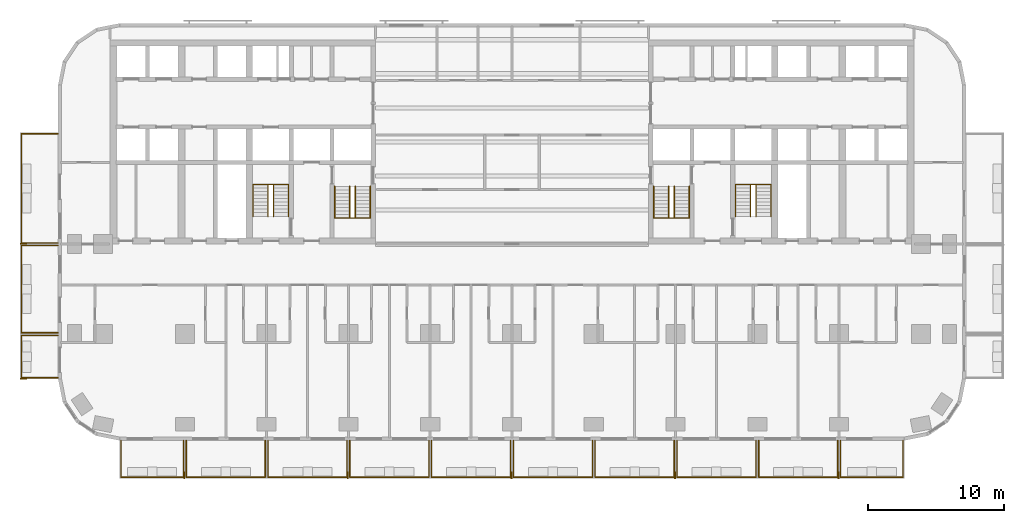
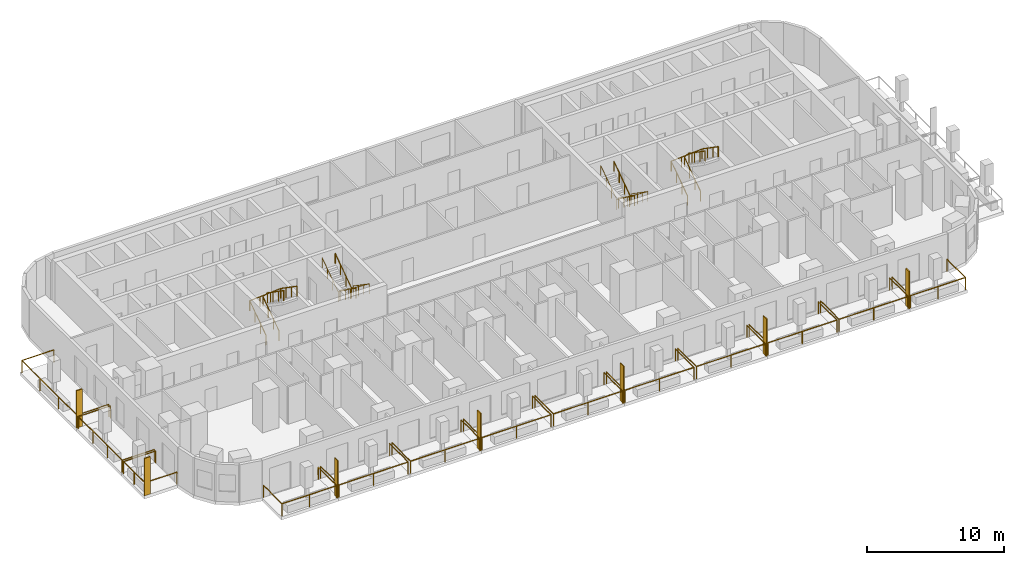
# One storey, part 12 of 14: 21 railings, 7 shading devices.
"""IFC4 building model written with IfcOpenShell, lengths in metres."""

from ifc_helpers import new_model, si_unit, direction, frame, origin, origin_2d, place, context, subcontext, project, spatial, rectangle, circle, extrude, material, layer, layer_set, type_object, element, save


model = new_model("IFC4")

# Units and contexts
model_context = context("Model", 3, precision=1e-05, world=origin(), true_north=direction((0.0, 1.0)))
body_context = subcontext(model_context, "Body", "Model", "MODEL_VIEW")
ifc_project = project(units=[si_unit("LENGTHUNIT", "METRE"), si_unit("AREAUNIT", "SQUARE_METRE"), si_unit("VOLUMEUNIT", "CUBIC_METRE"), si_unit("PLANEANGLEUNIT", "RADIAN"), si_unit("MASSUNIT", "GRAM", prefix="KILO")], contexts=[model_context])

# Site, building, storey
site_placement = place(None, origin())
site = spatial("IfcSite", under=ifc_project, at=site_placement, CompositionType="ELEMENT")
building_placement = place(site_placement, origin())
building = spatial("IfcBuilding", under=site, at=building_placement, Name="Torana Hotel and Residences", CompositionType="ELEMENT")
storey_placement = place(building_placement, frame((0.0, 0.0, 38.39990234375)))
storey = spatial("IfcBuildingStorey", under=building, at=storey_placement, Name="L08", CompositionType="ELEMENT", Elevation=38.39990234375)

# Shading devices
ifc_material_1 = material(Name="Black powder coated aluminium", Category="aluminium")
ifc_layer = layer(ifc_material_1, 0.080078125)
ifc_layer_set = layer_set([ifc_layer], Name="FN1 VERTICAL FIN 500x80")
shading_device_type = type_object("IfcShadingDeviceType", Name="FN1 VERTICAL FIN 500x80", PredefinedType="USERDEFINED", material=ifc_layer_set)
for number, where, z_axis, x_axis, name in (
    (1, (-24.0400390625, -31.949951171875, 0.0), (0.0, 0.0, 1.0), (-1.0, 0.0, 0.0), "Fin 01"),
    (2, (-12.0400390625, -31.949951171875, 0.0), (0.0, 0.0, 1.0), (-1.0, 0.0, 0.0), "Fin 03"),
    (3, (-0.0400390625, -31.949951171875, 0.0), (0.0, 0.0, 1.0), (-1.0, 0.0, 0.0), "Fin 05"),
    (4, (11.9599609375, -31.949951171875, 0.0), (0.0, 0.0, 1.0), (-1.0, 0.0, 0.0), "Fin 07"),
    (5, (23.9599609375, -31.949951171875, 0.0), (0.0, 0.0, 1.0), (-1.0, 0.0, 0.0), "Fin 09"),
    (6, (-35.85009765625, -24.860107421875, 0.0), (0.0, 0.0, 1.0), (0.0, 1.0, 0.0), "Fin 11"),
    (7, (-35.85009765625, -14.9599609375, 0.0), (0.0, 0.0, 1.0), (0.0, 1.0, 0.0), "Fin 13"),
):
    element("IfcShadingDevice", number, at=place(storey_placement, frame(where, z_axis=z_axis, x_axis=x_axis)), inside=storey, type_object=shading_device_type, Name=name, ObjectType="FIN", PredefinedType="USERDEFINED", context=body_context, shape_type="SweptSolid", body=[
        extrude(rectangle(XDim=0.080078125, YDim=0.5, at=origin_2d()), origin(), (0.0, 0.0, 1.0), 3.320068359375),
    ])

# Railings
ifc_material_2 = material(Name="Laminated glass balustrade with black handrail", Category="glass")
railing_type_1 = type_object("IfcRailingType", Name="GR1 BALCONY GUARD 1100 GLASS", PredefinedType="GUARDRAIL", material=ifc_material_2)
railing_1_placement = place(storey_placement, frame((-24.10009765625, -29.39990234375, 0.0)))
element("IfcRailing", 8, at=railing_1_placement, inside=storey, type_object=railing_type_1, Name="Balcony guard 01", PredefinedType="GUARDRAIL", context=body_context, shape_type="SweptSolid", body=[
    extrude(circle(Radius=0.02392578125, at=origin_2d()), frame((0.0, 0.0, 1.076171875), z_axis=(0.0, -1.0, 0.0), x_axis=(1.0, 0.0, 0.0)), (0.0, 0.0, 1.0), 2.7001953125),
    extrude(circle(Radius=0.02392578125, at=origin_2d()), frame((0.0, -2.7001953125, 1.076171875), z_axis=(-1.0, 0.0, 0.0), x_axis=(0.0, -1.0, 0.0)), (0.0, 0.0, 1.0), 4.599853515625),
    extrude(circle(Radius=0.02392578125, at=origin_2d()), frame((-4.599853515625, -2.7001953125, 1.076171875), z_axis=(0.0, 1.0, 0.0), x_axis=(-1.0, 0.0, 0.0)), (0.0, 0.0, 1.0), 2.7001953125),
    extrude(circle(Radius=0.02099609375, at=origin_2d()), origin(), (0.0, 0.0, 1.0), 1.052001953125),
    extrude(circle(Radius=0.02099609375, at=origin_2d()), frame((0.0, -2.7001953125, 0.0)), (0.0, 0.0, 1.0), 1.052001953125),
    extrude(circle(Radius=0.02099609375, at=origin_2d()), frame((-2.2998046875, -2.7001953125, 0.0)), (0.0, 0.0, 1.0), 1.052001953125),
    extrude(circle(Radius=0.02099609375, at=origin_2d()), frame((-4.599853515625, -2.7001953125, 0.0)), (0.0, 0.0, 1.0), 1.052001953125),
    extrude(circle(Radius=0.02099609375, at=origin_2d()), frame((-4.599853515625, 0.0, 0.0)), (0.0, 0.0, 1.0), 1.052001953125),
])
for number, where, name in (
    (9, (-18.10009765625, -29.39990234375, 0.0), "Balcony guard 02"),
    (10, (-12.10009765625, -29.39990234375, 0.0), "Balcony guard 03"),
    (11, (-6.10009765625, -29.39990234375, 0.0), "Balcony guard 04"),
    (12, (-0.10009765625, -29.39990234375, 0.0), "Balcony guard 05"),
    (13, (5.89990234375, -29.39990234375, 0.0), "Balcony guard 06"),
    (14, (11.89990234375, -29.39990234375, 0.0), "Balcony guard 07"),
    (15, (17.89990234375, -29.39990234375, 0.0), "Balcony guard 08"),
    (16, (23.89990234375, -29.39990234375, 0.0), "Balcony guard 09"),
):
    element("IfcRailing", number, at=place(storey_placement, frame(where)), inside=storey, type_object=railing_type_1, Name=name, PredefinedType="GUARDRAIL", context=body_context, shape_type="SweptSolid", body=[
        extrude(circle(Radius=0.02392578125, at=origin_2d()), frame((0.0, 0.0, 1.076171875), z_axis=(0.0, -1.0, 0.0), x_axis=(1.0, 0.0, 0.0)), (0.0, 0.0, 1.0), 2.7001953125),
        extrude(circle(Radius=0.02392578125, at=origin_2d()), frame((0.0, -2.7001953125, 1.076171875), z_axis=(-1.0, 0.0, 0.0), x_axis=(0.0, -1.0, 0.0)), (0.0, 0.0, 1.0), 5.7998046875),
        extrude(circle(Radius=0.02392578125, at=origin_2d()), frame((-5.7998046875, -2.7001953125, 1.076171875), z_axis=(0.0, 1.0, 0.0), x_axis=(-1.0, 0.0, 0.0)), (0.0, 0.0, 1.0), 2.7001953125),
        extrude(circle(Radius=0.02099609375, at=origin_2d()), origin(), (0.0, 0.0, 1.0), 1.052001953125),
        extrude(circle(Radius=0.02099609375, at=origin_2d()), frame((0.0, -2.7001953125, 0.0)), (0.0, 0.0, 1.0), 1.052001953125),
        extrude(circle(Radius=0.02099609375, at=origin_2d()), frame((-2.89990234375, -2.7001953125, 0.0)), (0.0, 0.0, 1.0), 1.052001953125),
        extrude(circle(Radius=0.02099609375, at=origin_2d()), frame((-5.7998046875, -2.7001953125, 0.0)), (0.0, 0.0, 1.0), 1.052001953125),
        extrude(circle(Radius=0.02099609375, at=origin_2d()), frame((-5.7998046875, 0.0, 0.0)), (0.0, 0.0, 1.0), 1.052001953125),
    ])
railing_2_placement = place(storey_placement, frame((28.699951171875, -29.39990234375, 0.0)))
element("IfcRailing", 17, at=railing_2_placement, inside=storey, type_object=railing_type_1, Name="Balcony guard 10", PredefinedType="GUARDRAIL", context=body_context, shape_type="SweptSolid", body=[
    extrude(circle(Radius=0.02392578125, at=origin_2d()), frame((0.0, 0.0, 1.076171875), z_axis=(0.0, -1.0, 0.0), x_axis=(1.0, 0.0, 0.0)), (0.0, 0.0, 1.0), 2.7001953125),
    extrude(circle(Radius=0.02392578125, at=origin_2d()), frame((0.0, -2.7001953125, 1.076171875), z_axis=(-1.0, 0.0, 0.0), x_axis=(0.0, -1.0, 0.0)), (0.0, 0.0, 1.0), 4.599853515625),
    extrude(circle(Radius=0.02392578125, at=origin_2d()), frame((-4.599853515625, -2.7001953125, 1.076171875), z_axis=(0.0, 1.0, 0.0), x_axis=(-1.0, 0.0, 0.0)), (0.0, 0.0, 1.0), 2.7001953125),
    extrude(circle(Radius=0.02099609375, at=origin_2d()), origin(), (0.0, 0.0, 1.0), 1.052001953125),
    extrude(circle(Radius=0.02099609375, at=origin_2d()), frame((0.0, -2.7001953125, 0.0)), (0.0, 0.0, 1.0), 1.052001953125),
    extrude(circle(Radius=0.02099609375, at=origin_2d()), frame((-2.2998046875, -2.7001953125, 0.0)), (0.0, 0.0, 1.0), 1.052001953125),
    extrude(circle(Radius=0.02099609375, at=origin_2d()), frame((-4.599853515625, -2.7001953125, 0.0)), (0.0, 0.0, 1.0), 1.052001953125),
    extrude(circle(Radius=0.02099609375, at=origin_2d()), frame((-4.599853515625, 0.0, 0.0)), (0.0, 0.0, 1.0), 1.052001953125),
])
railing_3_placement = place(storey_placement, frame((-33.300048828125, -24.800048828125, 0.0)))
element("IfcRailing", 18, at=railing_3_placement, inside=storey, type_object=railing_type_1, Name="Balcony guard 11", PredefinedType="GUARDRAIL", context=body_context, shape_type="SweptSolid", body=[
    extrude(circle(Radius=0.02392578125, at=origin_2d()), frame((0.0, 0.0, 1.076171875), z_axis=(-1.0, 0.0, 0.0), x_axis=(0.0, -1.0, 0.0)), (0.0, 0.0, 1.0), 2.699951171875),
    extrude(circle(Radius=0.02392578125, at=origin_2d()), frame((-2.699951171875, 0.0, 1.076171875), z_axis=(0.0, 1.0, 0.0), x_axis=(-1.0, 0.0, 0.0)), (0.0, 0.0, 1.0), 3.10009765625),
    extrude(circle(Radius=0.02392578125, at=origin_2d()), frame((-2.699951171875, 3.10009765625, 1.076171875), z_axis=(1.0, 0.0, 0.0), x_axis=(0.0, 1.0, 0.0)), (0.0, 0.0, 1.0), 2.699951171875),
    extrude(circle(Radius=0.02099609375, at=origin_2d()), origin(), (0.0, 0.0, 1.0), 1.052001953125),
    extrude(circle(Radius=0.02099609375, at=origin_2d()), frame((-2.699951171875, 0.0, 0.0)), (0.0, 0.0, 1.0), 1.052001953125),
    extrude(circle(Radius=0.02099609375, at=origin_2d()), frame((-2.699951171875, 1.550048828125, 0.0)), (0.0, 0.0, 1.0), 1.052001953125),
    extrude(circle(Radius=0.02099609375, at=origin_2d()), frame((-2.699951171875, 3.10009765625, 0.0)), (0.0, 0.0, 1.0), 1.052001953125),
    extrude(circle(Radius=0.02099609375, at=origin_2d()), frame((0.0, 3.10009765625, 0.0)), (0.0, 0.0, 1.0), 1.052001953125),
])
railing_4_placement = place(storey_placement, frame((-33.300048828125, -21.5, 0.0)))
element("IfcRailing", 19, at=railing_4_placement, inside=storey, type_object=railing_type_1, Name="Balcony guard 12", PredefinedType="GUARDRAIL", context=body_context, shape_type="SweptSolid", body=[
    extrude(circle(Radius=0.02392578125, at=origin_2d()), frame((0.0, 0.0, 1.076171875), z_axis=(-1.0, 0.0, 0.0), x_axis=(0.0, -1.0, 0.0)), (0.0, 0.0, 1.0), 2.699951171875),
    extrude(circle(Radius=0.02392578125, at=origin_2d()), frame((-2.699951171875, 0.0, 1.076171875), z_axis=(0.0, 1.0, 0.0), x_axis=(-1.0, 0.0, 0.0)), (0.0, 0.0, 1.0), 6.39990234375),
    extrude(circle(Radius=0.02392578125, at=origin_2d()), frame((-2.699951171875, 6.39990234375, 1.076171875), z_axis=(1.0, 0.0, 0.0), x_axis=(0.0, 1.0, 0.0)), (0.0, 0.0, 1.0), 2.699951171875),
    extrude(circle(Radius=0.02099609375, at=origin_2d()), origin(), (0.0, 0.0, 1.0), 1.052001953125),
    extrude(circle(Radius=0.02099609375, at=origin_2d()), frame((-2.699951171875, 0.0, 0.0)), (0.0, 0.0, 1.0), 1.052001953125),
    extrude(circle(Radius=0.02099609375, at=origin_2d()), frame((-2.699951171875, 2.13330078125, 0.0)), (0.0, 0.0, 1.0), 1.052001953125),
    extrude(circle(Radius=0.02099609375, at=origin_2d()), frame((-2.699951171875, 4.2666015625, 0.0)), (0.0, 0.0, 1.0), 1.052001953125),
    extrude(circle(Radius=0.02099609375, at=origin_2d()), frame((-2.699951171875, 6.39990234375, 0.0)), (0.0, 0.0, 1.0), 1.052001953125),
    extrude(circle(Radius=0.02099609375, at=origin_2d()), frame((0.0, 6.39990234375, 0.0)), (0.0, 0.0, 1.0), 1.052001953125),
])
railing_5_placement = place(storey_placement, frame((-33.300048828125, -14.89990234375, 0.0)))
element("IfcRailing", 20, at=railing_5_placement, inside=storey, type_object=railing_type_1, Name="Balcony guard 13", PredefinedType="GUARDRAIL", context=body_context, shape_type="SweptSolid", body=[
    extrude(circle(Radius=0.02392578125, at=origin_2d()), frame((0.0, 0.0, 1.076171875), z_axis=(-1.0, 0.0, 0.0), x_axis=(0.0, -1.0, 0.0)), (0.0, 0.0, 1.0), 2.699951171875),
    extrude(circle(Radius=0.02392578125, at=origin_2d()), frame((-2.699951171875, 0.0, 1.076171875), z_axis=(0.0, 1.0, 0.0), x_axis=(-1.0, 0.0, 0.0)), (0.0, 0.0, 1.0), 8.0),
    extrude(circle(Radius=0.02392578125, at=origin_2d()), frame((-2.699951171875, 8.0, 1.076171875), z_axis=(1.0, 0.0, 0.0), x_axis=(0.0, 1.0, 0.0)), (0.0, 0.0, 1.0), 2.699951171875),
    extrude(circle(Radius=0.02099609375, at=origin_2d()), origin(), (0.0, 0.0, 1.0), 1.052001953125),
    extrude(circle(Radius=0.02099609375, at=origin_2d()), frame((-2.699951171875, 0.0, 0.0)), (0.0, 0.0, 1.0), 1.052001953125),
    extrude(circle(Radius=0.02099609375, at=origin_2d()), frame((-2.699951171875, 2.666748046875, 0.0)), (0.0, 0.0, 1.0), 1.052001953125),
    extrude(circle(Radius=0.02099609375, at=origin_2d()), frame((-2.699951171875, 5.333251953125, 0.0)), (0.0, 0.0, 1.0), 1.052001953125),
    extrude(circle(Radius=0.02099609375, at=origin_2d()), frame((-2.699951171875, 8.0, 0.0)), (0.0, 0.0, 1.0), 1.052001953125),
    extrude(circle(Radius=0.02099609375, at=origin_2d()), frame((0.0, 8.0, 0.0)), (0.0, 0.0, 1.0), 1.052001953125),
])
ifc_material_3 = material(Name="Stainless steel 316", Category="steel")
railing_type_2 = type_object("IfcRailingType", Name="STAIR HANDRAIL HR1 900", PredefinedType="HANDRAIL", material=ifc_material_3)
railing_6_placement = place(storey_placement, frame((-10.39990234375, -10.75, 0.18017578125)))
element("IfcRailing", 21, at=railing_6_placement, inside=storey, type_object=railing_type_2, Name="Handrail ST1 L08 O1", PredefinedType="HANDRAIL", context=body_context, shape_type="SweptSolid", body=[
    extrude(circle(Radius=0.02392578125, at=origin_2d()), frame((0.0, 0.0, 0.8759765625), z_axis=(0.0, -0.822223072051, 0.569165371211), x_axis=(1.0, 0.0, 0.0)), (0.0, 0.0, 1.0), 2.845947265625),
    extrude(circle(Radius=0.02392578125, at=origin_2d()), frame((0.0, -2.340087890625, 2.49560546875), z_axis=(-0.997614115953, 0.0, 0.069036770278), x_axis=(0.0, -1.0, 0.0)), (0.0, 0.0, 1.0), 2.606201171875),
    extrude(circle(Radius=0.02392578125, at=origin_2d()), frame((-2.60009765625, -2.340087890625, 2.67578125), z_axis=(0.0, 0.822182927502, 0.569223360136), x_axis=(-1.0, 0.0, 0.0)), (0.0, 0.0, 1.0), 2.84619140625),
    extrude(circle(Radius=0.02099609375, at=origin_2d()), origin(), (0.0, 0.0, 1.0), 0.851806640625),
    extrude(circle(Radius=0.02099609375, at=origin_2d()), frame((0.0, -0.780029296875, 0.5400390625)), (0.0, 0.0, 1.0), 0.851806640625),
    extrude(circle(Radius=0.02099609375, at=origin_2d()), frame((0.0, -1.56005859375, 1.079833984375)), (0.0, 0.0, 1.0), 0.851806640625),
    extrude(circle(Radius=0.02099609375, at=origin_2d()), frame((0.0, -2.340087890625, 1.619873046875)), (0.0, 0.0, 1.0), 0.851806640625),
    extrude(circle(Radius=0.02099609375, at=origin_2d()), frame((-0.86669921875, -2.340087890625, 1.679931640625)), (0.0, 0.0, 1.0), 0.851806640625),
    extrude(circle(Radius=0.02099609375, at=origin_2d()), frame((-1.7333984375, -2.340087890625, 1.73974609375)), (0.0, 0.0, 1.0), 0.851806640625),
    extrude(circle(Radius=0.02099609375, at=origin_2d()), frame((-2.60009765625, -2.340087890625, 1.7998046875)), (0.0, 0.0, 1.0), 0.851806640625),
    extrude(circle(Radius=0.02099609375, at=origin_2d()), frame((-2.60009765625, -1.56005859375, 2.33984375)), (0.0, 0.0, 1.0), 0.851806640625),
    extrude(circle(Radius=0.02099609375, at=origin_2d()), frame((-2.60009765625, -0.780029296875, 2.8798828125)), (0.0, 0.0, 1.0), 0.851806640625),
    extrude(circle(Radius=0.02099609375, at=origin_2d()), frame((-2.60009765625, 0.0, 3.419921875)), (0.0, 0.0, 1.0), 0.851806640625),
])
railing_7_placement = place(storey_placement, frame((-11.5, -10.75, 0.18017578125)))
element("IfcRailing", 22, at=railing_7_placement, inside=storey, type_object=railing_type_2, Name="Handrail ST1 L08 I1", PredefinedType="HANDRAIL", context=body_context, shape_type="SweptSolid", body=[
    extrude(circle(Radius=0.02392578125, at=origin_2d()), frame((0.0, 0.0, 0.8759765625), z_axis=(0.0, -0.822223072051, 0.569165371211), x_axis=(1.0, 0.0, 0.0)), (0.0, 0.0, 1.0), 2.845947265625),
    extrude(circle(Radius=0.02392578125, at=origin_2d()), frame((0.0, -2.340087890625, 2.49560546875), z_axis=(-0.911942338396, 0.0, 0.410318378143), x_axis=(0.0, -1.0, 0.0)), (0.0, 0.0, 1.0), 0.4384765625),
    extrude(circle(Radius=0.02392578125, at=origin_2d()), frame((-0.39990234375, -2.340087890625, 2.67578125), z_axis=(0.0, 0.822182927502, 0.569223360136), x_axis=(-1.0, 0.0, 0.0)), (0.0, 0.0, 1.0), 2.84619140625),
    extrude(circle(Radius=0.02099609375, at=origin_2d()), origin(), (0.0, 0.0, 1.0), 0.851806640625),
    extrude(circle(Radius=0.02099609375, at=origin_2d()), frame((0.0, -0.780029296875, 0.5400390625)), (0.0, 0.0, 1.0), 0.851806640625),
    extrude(circle(Radius=0.02099609375, at=origin_2d()), frame((0.0, -1.56005859375, 1.079833984375)), (0.0, 0.0, 1.0), 0.851806640625),
    extrude(circle(Radius=0.02099609375, at=origin_2d()), frame((0.0, -2.340087890625, 1.619873046875)), (0.0, 0.0, 1.0), 0.851806640625),
    extrude(circle(Radius=0.02099609375, at=origin_2d()), frame((-0.39990234375, -2.340087890625, 1.7998046875)), (0.0, 0.0, 1.0), 0.851806640625),
    extrude(circle(Radius=0.02099609375, at=origin_2d()), frame((-0.39990234375, -1.56005859375, 2.33984375)), (0.0, 0.0, 1.0), 0.851806640625),
    extrude(circle(Radius=0.02099609375, at=origin_2d()), frame((-0.39990234375, -0.780029296875, 2.8798828125)), (0.0, 0.0, 1.0), 0.851806640625),
    extrude(circle(Radius=0.02099609375, at=origin_2d()), frame((-0.39990234375, 0.0, 3.419921875)), (0.0, 0.0, 1.0), 0.851806640625),
])
railing_8_placement = place(storey_placement, frame((-19.0, -12.949951171875, 0.18017578125)))
element("IfcRailing", 23, at=railing_8_placement, inside=storey, type_object=railing_type_2, Name="Handrail ST2 L08 O1", PredefinedType="HANDRAIL", context=body_context, shape_type="SweptSolid", body=[
    extrude(circle(Radius=0.02392578125, at=origin_2d()), frame((0.0, 0.0, 0.8759765625), z_axis=(0.0, 0.822195280011, 0.569205517829), x_axis=(-1.0, 0.0, 0.0)), (0.0, 0.0, 1.0), 2.845947265625),
    extrude(circle(Radius=0.02392578125, at=origin_2d()), frame((0.0, 2.33984375, 2.49560546875), z_axis=(0.997614115953, 0.0, 0.069036770278), x_axis=(0.0, 1.0, 0.0)), (0.0, 0.0, 1.0), 2.606201171875),
    extrude(circle(Radius=0.02392578125, at=origin_2d()), frame((2.60009765625, 2.33984375, 2.67578125), z_axis=(0.0, -0.822155131156, 0.569263506923), x_axis=(1.0, 0.0, 0.0)), (0.0, 0.0, 1.0), 2.845947265625),
    extrude(circle(Radius=0.02099609375, at=origin_2d()), origin(), (0.0, 0.0, 1.0), 0.851806640625),
    extrude(circle(Radius=0.02099609375, at=origin_2d()), frame((0.0, 0.780029296875, 0.5400390625)), (0.0, 0.0, 1.0), 0.851806640625),
    extrude(circle(Radius=0.02099609375, at=origin_2d()), frame((0.0, 1.559814453125, 1.079833984375)), (0.0, 0.0, 1.0), 0.851806640625),
    extrude(circle(Radius=0.02099609375, at=origin_2d()), frame((0.0, 2.33984375, 1.619873046875)), (0.0, 0.0, 1.0), 0.851806640625),
    extrude(circle(Radius=0.02099609375, at=origin_2d()), frame((0.86669921875, 2.33984375, 1.679931640625)), (0.0, 0.0, 1.0), 0.851806640625),
    extrude(circle(Radius=0.02099609375, at=origin_2d()), frame((1.7333984375, 2.33984375, 1.73974609375)), (0.0, 0.0, 1.0), 0.851806640625),
    extrude(circle(Radius=0.02099609375, at=origin_2d()), frame((2.60009765625, 2.33984375, 1.7998046875)), (0.0, 0.0, 1.0), 0.851806640625),
    extrude(circle(Radius=0.02099609375, at=origin_2d()), frame((2.60009765625, 1.559814453125, 2.33984375)), (0.0, 0.0, 1.0), 0.851806640625),
    extrude(circle(Radius=0.02099609375, at=origin_2d()), frame((2.60009765625, 0.780029296875, 2.8798828125)), (0.0, 0.0, 1.0), 0.851806640625),
    extrude(circle(Radius=0.02099609375, at=origin_2d()), frame((2.60009765625, 0.0, 3.419921875)), (0.0, 0.0, 1.0), 0.851806640625),
])
railing_9_placement = place(storey_placement, frame((-17.89990234375, -12.949951171875, 0.18017578125)))
element("IfcRailing", 24, at=railing_9_placement, inside=storey, type_object=railing_type_2, Name="Handrail ST2 L08 I1", PredefinedType="HANDRAIL", context=body_context, shape_type="SweptSolid", body=[
    extrude(circle(Radius=0.02392578125, at=origin_2d()), frame((0.0, 0.0, 0.8759765625), z_axis=(0.0, 0.822195280011, 0.569205517829), x_axis=(-1.0, 0.0, 0.0)), (0.0, 0.0, 1.0), 2.845947265625),
    extrude(circle(Radius=0.02392578125, at=origin_2d()), frame((0.0, 2.33984375, 2.49560546875), z_axis=(0.911942338396, 0.0, 0.410318378143), x_axis=(0.0, 1.0, 0.0)), (0.0, 0.0, 1.0), 0.4384765625),
    extrude(circle(Radius=0.02392578125, at=origin_2d()), frame((0.39990234375, 2.33984375, 2.67578125), z_axis=(0.0, -0.822155131156, 0.569263506923), x_axis=(1.0, 0.0, 0.0)), (0.0, 0.0, 1.0), 2.845947265625),
    extrude(circle(Radius=0.02099609375, at=origin_2d()), origin(), (0.0, 0.0, 1.0), 0.851806640625),
    extrude(circle(Radius=0.02099609375, at=origin_2d()), frame((0.0, 0.780029296875, 0.5400390625)), (0.0, 0.0, 1.0), 0.851806640625),
    extrude(circle(Radius=0.02099609375, at=origin_2d()), frame((0.0, 1.559814453125, 1.079833984375)), (0.0, 0.0, 1.0), 0.851806640625),
    extrude(circle(Radius=0.02099609375, at=origin_2d()), frame((0.0, 2.33984375, 1.619873046875)), (0.0, 0.0, 1.0), 0.851806640625),
    extrude(circle(Radius=0.02099609375, at=origin_2d()), frame((0.39990234375, 2.33984375, 1.7998046875)), (0.0, 0.0, 1.0), 0.851806640625),
    extrude(circle(Radius=0.02099609375, at=origin_2d()), frame((0.39990234375, 1.559814453125, 2.33984375)), (0.0, 0.0, 1.0), 0.851806640625),
    extrude(circle(Radius=0.02099609375, at=origin_2d()), frame((0.39990234375, 0.780029296875, 2.8798828125)), (0.0, 0.0, 1.0), 0.851806640625),
    extrude(circle(Radius=0.02099609375, at=origin_2d()), frame((0.39990234375, 0.0, 3.419921875)), (0.0, 0.0, 1.0), 0.851806640625),
])
railing_10_placement = place(storey_placement, frame((13.0, -10.75, 0.18017578125)))
element("IfcRailing", 25, at=railing_10_placement, inside=storey, type_object=railing_type_2, Name="Handrail ST3 L08 O1", PredefinedType="HANDRAIL", context=body_context, shape_type="SweptSolid", body=[
    extrude(circle(Radius=0.02392578125, at=origin_2d()), frame((0.0, 0.0, 0.8759765625), z_axis=(0.0, -0.822223072051, 0.569165371211), x_axis=(1.0, 0.0, 0.0)), (0.0, 0.0, 1.0), 2.845947265625),
    extrude(circle(Radius=0.02392578125, at=origin_2d()), frame((0.0, -2.340087890625, 2.49560546875), z_axis=(-0.997614115953, 0.0, 0.069036770278), x_axis=(0.0, -1.0, 0.0)), (0.0, 0.0, 1.0), 2.606201171875),
    extrude(circle(Radius=0.02392578125, at=origin_2d()), frame((-2.60009765625, -2.340087890625, 2.67578125), z_axis=(0.0, 0.822182927502, 0.569223360136), x_axis=(-1.0, 0.0, 0.0)), (0.0, 0.0, 1.0), 2.84619140625),
    extrude(circle(Radius=0.02099609375, at=origin_2d()), origin(), (0.0, 0.0, 1.0), 0.851806640625),
    extrude(circle(Radius=0.02099609375, at=origin_2d()), frame((0.0, -0.780029296875, 0.5400390625)), (0.0, 0.0, 1.0), 0.851806640625),
    extrude(circle(Radius=0.02099609375, at=origin_2d()), frame((0.0, -1.56005859375, 1.079833984375)), (0.0, 0.0, 1.0), 0.851806640625),
    extrude(circle(Radius=0.02099609375, at=origin_2d()), frame((0.0, -2.340087890625, 1.619873046875)), (0.0, 0.0, 1.0), 0.851806640625),
    extrude(circle(Radius=0.02099609375, at=origin_2d()), frame((-0.86669921875, -2.340087890625, 1.679931640625)), (0.0, 0.0, 1.0), 0.851806640625),
    extrude(circle(Radius=0.02099609375, at=origin_2d()), frame((-1.7333984375, -2.340087890625, 1.73974609375)), (0.0, 0.0, 1.0), 0.851806640625),
    extrude(circle(Radius=0.02099609375, at=origin_2d()), frame((-2.60009765625, -2.340087890625, 1.7998046875)), (0.0, 0.0, 1.0), 0.851806640625),
    extrude(circle(Radius=0.02099609375, at=origin_2d()), frame((-2.60009765625, -1.56005859375, 2.33984375)), (0.0, 0.0, 1.0), 0.851806640625),
    extrude(circle(Radius=0.02099609375, at=origin_2d()), frame((-2.60009765625, -0.780029296875, 2.8798828125)), (0.0, 0.0, 1.0), 0.851806640625),
    extrude(circle(Radius=0.02099609375, at=origin_2d()), frame((-2.60009765625, 0.0, 3.419921875)), (0.0, 0.0, 1.0), 0.851806640625),
])
railing_11_placement = place(storey_placement, frame((11.89990234375, -10.75, 0.18017578125)))
element("IfcRailing", 26, at=railing_11_placement, inside=storey, type_object=railing_type_2, Name="Handrail ST3 L08 I1", PredefinedType="HANDRAIL", context=body_context, shape_type="SweptSolid", body=[
    extrude(circle(Radius=0.02392578125, at=origin_2d()), frame((0.0, 0.0, 0.8759765625), z_axis=(0.0, -0.822223072051, 0.569165371211), x_axis=(1.0, 0.0, 0.0)), (0.0, 0.0, 1.0), 2.845947265625),
    extrude(circle(Radius=0.02392578125, at=origin_2d()), frame((0.0, -2.340087890625, 2.49560546875), z_axis=(-0.911942338396, 0.0, 0.410318378143), x_axis=(0.0, -1.0, 0.0)), (0.0, 0.0, 1.0), 0.4384765625),
    extrude(circle(Radius=0.02392578125, at=origin_2d()), frame((-0.39990234375, -2.340087890625, 2.67578125), z_axis=(0.0, 0.822182927502, 0.569223360136), x_axis=(-1.0, 0.0, 0.0)), (0.0, 0.0, 1.0), 2.84619140625),
    extrude(circle(Radius=0.02099609375, at=origin_2d()), origin(), (0.0, 0.0, 1.0), 0.851806640625),
    extrude(circle(Radius=0.02099609375, at=origin_2d()), frame((0.0, -0.780029296875, 0.5400390625)), (0.0, 0.0, 1.0), 0.851806640625),
    extrude(circle(Radius=0.02099609375, at=origin_2d()), frame((0.0, -1.56005859375, 1.079833984375)), (0.0, 0.0, 1.0), 0.851806640625),
    extrude(circle(Radius=0.02099609375, at=origin_2d()), frame((0.0, -2.340087890625, 1.619873046875)), (0.0, 0.0, 1.0), 0.851806640625),
    extrude(circle(Radius=0.02099609375, at=origin_2d()), frame((-0.39990234375, -2.340087890625, 1.7998046875)), (0.0, 0.0, 1.0), 0.851806640625),
    extrude(circle(Radius=0.02099609375, at=origin_2d()), frame((-0.39990234375, -1.56005859375, 2.33984375)), (0.0, 0.0, 1.0), 0.851806640625),
    extrude(circle(Radius=0.02099609375, at=origin_2d()), frame((-0.39990234375, -0.780029296875, 2.8798828125)), (0.0, 0.0, 1.0), 0.851806640625),
    extrude(circle(Radius=0.02099609375, at=origin_2d()), frame((-0.39990234375, 0.0, 3.419921875)), (0.0, 0.0, 1.0), 0.851806640625),
])
railing_12_placement = place(storey_placement, frame((16.39990234375, -12.949951171875, 0.18017578125)))
element("IfcRailing", 27, at=railing_12_placement, inside=storey, type_object=railing_type_2, Name="Handrail ST4 L08 O1", PredefinedType="HANDRAIL", context=body_context, shape_type="SweptSolid", body=[
    extrude(circle(Radius=0.02392578125, at=origin_2d()), frame((0.0, 0.0, 0.8759765625), z_axis=(0.0, 0.822195280011, 0.569205517829), x_axis=(-1.0, 0.0, 0.0)), (0.0, 0.0, 1.0), 2.845947265625),
    extrude(circle(Radius=0.02392578125, at=origin_2d()), frame((0.0, 2.33984375, 2.49560546875), z_axis=(0.997614115953, 0.0, 0.069036770278), x_axis=(0.0, 1.0, 0.0)), (0.0, 0.0, 1.0), 2.606201171875),
    extrude(circle(Radius=0.02392578125, at=origin_2d()), frame((2.60009765625, 2.33984375, 2.67578125), z_axis=(0.0, -0.822155131156, 0.569263506923), x_axis=(1.0, 0.0, 0.0)), (0.0, 0.0, 1.0), 2.845947265625),
    extrude(circle(Radius=0.02099609375, at=origin_2d()), origin(), (0.0, 0.0, 1.0), 0.851806640625),
    extrude(circle(Radius=0.02099609375, at=origin_2d()), frame((0.0, 0.780029296875, 0.5400390625)), (0.0, 0.0, 1.0), 0.851806640625),
    extrude(circle(Radius=0.02099609375, at=origin_2d()), frame((0.0, 1.559814453125, 1.079833984375)), (0.0, 0.0, 1.0), 0.851806640625),
    extrude(circle(Radius=0.02099609375, at=origin_2d()), frame((0.0, 2.33984375, 1.619873046875)), (0.0, 0.0, 1.0), 0.851806640625),
    extrude(circle(Radius=0.02099609375, at=origin_2d()), frame((0.86669921875, 2.33984375, 1.679931640625)), (0.0, 0.0, 1.0), 0.851806640625),
    extrude(circle(Radius=0.02099609375, at=origin_2d()), frame((1.7333984375, 2.33984375, 1.73974609375)), (0.0, 0.0, 1.0), 0.851806640625),
    extrude(circle(Radius=0.02099609375, at=origin_2d()), frame((2.60009765625, 2.33984375, 1.7998046875)), (0.0, 0.0, 1.0), 0.851806640625),
    extrude(circle(Radius=0.02099609375, at=origin_2d()), frame((2.60009765625, 1.559814453125, 2.33984375)), (0.0, 0.0, 1.0), 0.851806640625),
    extrude(circle(Radius=0.02099609375, at=origin_2d()), frame((2.60009765625, 0.780029296875, 2.8798828125)), (0.0, 0.0, 1.0), 0.851806640625),
    extrude(circle(Radius=0.02099609375, at=origin_2d()), frame((2.60009765625, 0.0, 3.419921875)), (0.0, 0.0, 1.0), 0.851806640625),
])
railing_13_placement = place(storey_placement, frame((17.5, -12.949951171875, 0.18017578125)))
element("IfcRailing", 28, at=railing_13_placement, inside=storey, type_object=railing_type_2, Name="Handrail ST4 L08 I1", PredefinedType="HANDRAIL", context=body_context, shape_type="SweptSolid", body=[
    extrude(circle(Radius=0.02392578125, at=origin_2d()), frame((0.0, 0.0, 0.8759765625), z_axis=(0.0, 0.822195280011, 0.569205517829), x_axis=(-1.0, 0.0, 0.0)), (0.0, 0.0, 1.0), 2.845947265625),
    extrude(circle(Radius=0.02392578125, at=origin_2d()), frame((0.0, 2.33984375, 2.49560546875), z_axis=(0.911942338396, 0.0, 0.410318378143), x_axis=(0.0, 1.0, 0.0)), (0.0, 0.0, 1.0), 0.4384765625),
    extrude(circle(Radius=0.02392578125, at=origin_2d()), frame((0.39990234375, 2.33984375, 2.67578125), z_axis=(0.0, -0.822155131156, 0.569263506923), x_axis=(1.0, 0.0, 0.0)), (0.0, 0.0, 1.0), 2.845947265625),
    extrude(circle(Radius=0.02099609375, at=origin_2d()), origin(), (0.0, 0.0, 1.0), 0.851806640625),
    extrude(circle(Radius=0.02099609375, at=origin_2d()), frame((0.0, 0.780029296875, 0.5400390625)), (0.0, 0.0, 1.0), 0.851806640625),
    extrude(circle(Radius=0.02099609375, at=origin_2d()), frame((0.0, 1.559814453125, 1.079833984375)), (0.0, 0.0, 1.0), 0.851806640625),
    extrude(circle(Radius=0.02099609375, at=origin_2d()), frame((0.0, 2.33984375, 1.619873046875)), (0.0, 0.0, 1.0), 0.851806640625),
    extrude(circle(Radius=0.02099609375, at=origin_2d()), frame((0.39990234375, 2.33984375, 1.7998046875)), (0.0, 0.0, 1.0), 0.851806640625),
    extrude(circle(Radius=0.02099609375, at=origin_2d()), frame((0.39990234375, 1.559814453125, 2.33984375)), (0.0, 0.0, 1.0), 0.851806640625),
    extrude(circle(Radius=0.02099609375, at=origin_2d()), frame((0.39990234375, 0.780029296875, 2.8798828125)), (0.0, 0.0, 1.0), 0.851806640625),
    extrude(circle(Radius=0.02099609375, at=origin_2d()), frame((0.39990234375, 0.0, 3.419921875)), (0.0, 0.0, 1.0), 0.851806640625),
])

save(model, "model.ifc")
